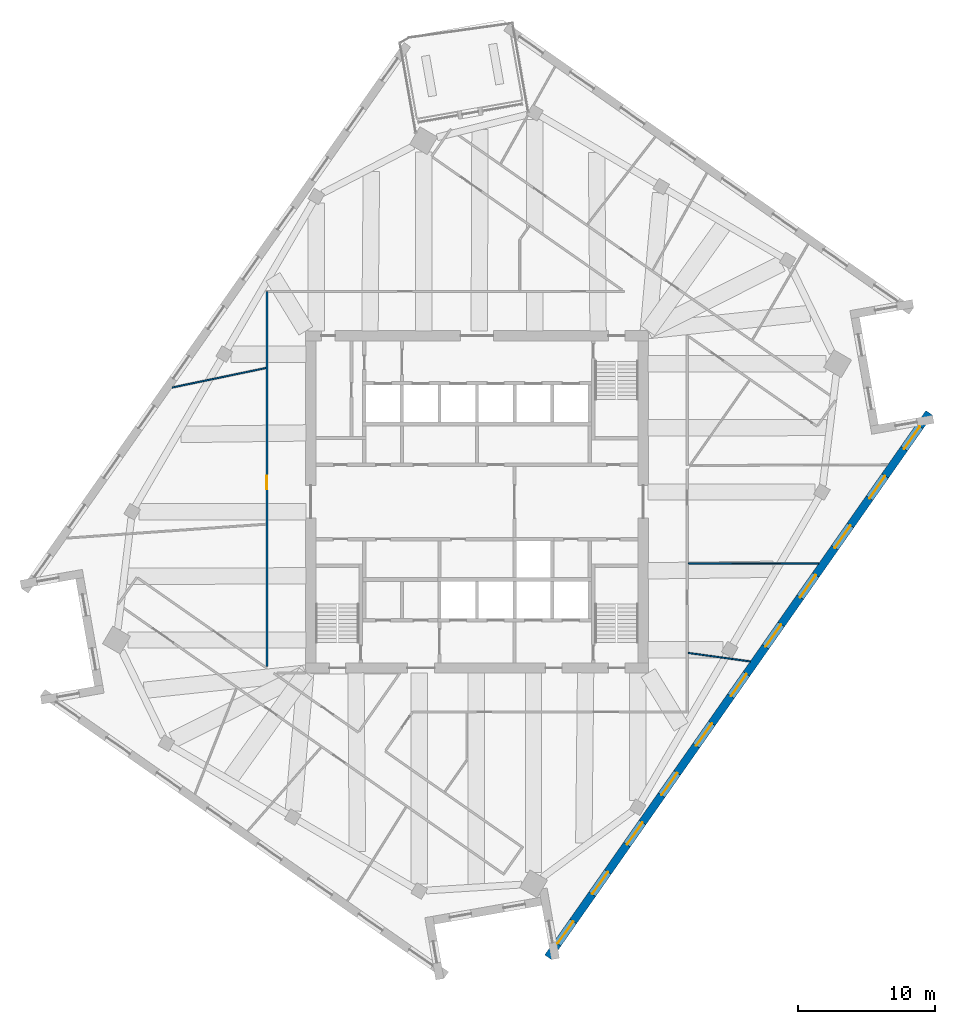
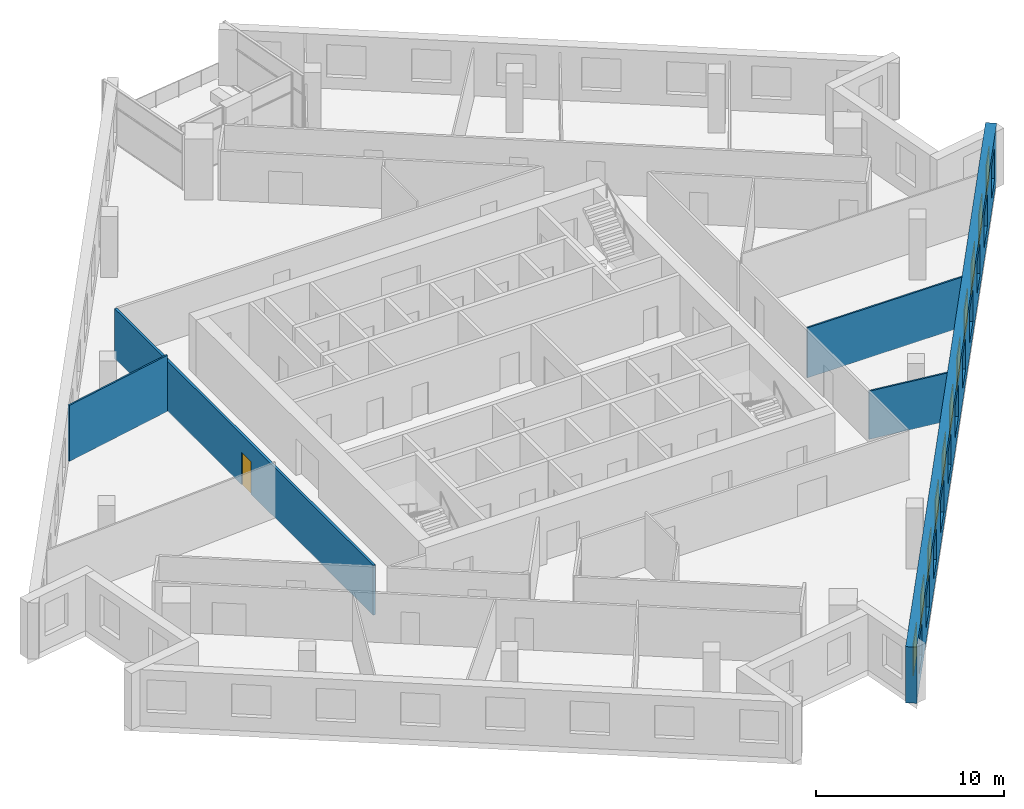
# One storey, part 8 of 13: 11 windows, 5 walls, 1 door, 12 openings.
"""IFC4 building model written with IfcOpenShell, lengths in metres."""

from ifc_helpers import new_model, si_unit, direction, frame, frame_2d, origin, place, context, subcontext, project, spatial, rectangle, extrude, material, layer, layer_set, type_object, element, fill, save


model = new_model("IFC4")

# Units and contexts
model_context = context("Model", 3, precision=1e-05, world=origin(), true_north=direction((0.0, 1.0)))
body_context = subcontext(model_context, "Body", "Model", "MODEL_VIEW")
ifc_project = project(units=[si_unit("LENGTHUNIT", "METRE"), si_unit("AREAUNIT", "SQUARE_METRE"), si_unit("VOLUMEUNIT", "CUBIC_METRE"), si_unit("PLANEANGLEUNIT", "RADIAN"), si_unit("MASSUNIT", "GRAM", prefix="KILO")], contexts=[model_context])

# Site, building, storey
site_placement = place(None, origin())
site = spatial("IfcSite", under=ifc_project, at=site_placement, CompositionType="ELEMENT")
building_placement = place(site_placement, origin())
building = spatial("IfcBuilding", under=site, at=building_placement, Name="Dilmun Exchange Tower", CompositionType="ELEMENT")
storey_placement = place(building_placement, frame((0.0, 0.0, 246.89990234375)))
storey = spatial("IfcBuildingStorey", under=building, at=storey_placement, Name="L58", CompositionType="ELEMENT", Elevation=246.89990234375)

# Wall, opening, door
ifc_material_1 = material(Name="Corridor wall 150")
ifc_layer_1 = layer(ifc_material_1, 0.14990234375)
ifc_layer_set_1 = layer_set([ifc_layer_1], Name="Corridor wall 150")
wall_type_1 = type_object("IfcWallType", Name="Corridor wall 150", PredefinedType="PARTITIONING", material=ifc_layer_set_1)
wall_1_placement = place(storey_placement, frame((-15.39990234375, -12.0458984375, 0.0), z_axis=(0.0, 0.0, 1.0), x_axis=(0.0, 1.0, 0.0)))
wall_1 = element("IfcWall", 1, at=wall_1_placement, inside=storey, type_object=wall_type_1, Name="Corridor wall", PredefinedType="PARTITIONING", context=body_context, shape_type="SweptSolid", body=[
    extrude(rectangle(XDim=27.44580078125, YDim=0.14990234375, at=frame_2d((13.722900390625, 0.0))), origin(), (0.0, 0.0, 1.0), 3.239990234375),
])
opening_1_placement = place(wall_1_placement, frame((12.9609375, 0.0, 0.0)))
opening_1 = element("IfcOpeningElement", 2, at=opening_1_placement, cuts=wall_1, Name="Opening TF57-D03", PredefinedType="OPENING", context=body_context, shape_type="SweptSolid", body=[
    extrude(rectangle(XDim=1.0, YDim=2.10009765625, at=frame_2d((0.5, 1.050048828125))), frame((0.0, 0.0849609375, 0.0), z_axis=(0.0, -1.0, 0.0), x_axis=(1.0, 0.0, 0.0)), (0.0, 0.0, 1.0), 0.169921875),
])
ifc_material_2 = material(Name="Fire door 1000 x 2100")
door_type = type_object("IfcDoorType", Name="Fire door 1000 x 2100", OperationType="NOTDEFINED", PredefinedType="DOOR", material=ifc_material_2)
door_placement = place(opening_1_placement, origin())
door = element("IfcDoor", 3, at=door_placement, inside=storey, type_object=door_type, Name="Door TF57-D03", OperationType="SINGLE_SWING_LEFT", OverallHeight=2.10009765625, OverallWidth=1.0, PredefinedType="DOOR", context=body_context, shape_type="SweptSolid", body=[
    extrude(rectangle(XDim=1.0, YDim=2.10009765625, at=frame_2d((0.5, 1.050048828125))), frame((0.0, 0.02490234375, 0.0), z_axis=(0.0, -1.0, 0.0), x_axis=(1.0, 0.0, 0.0)), (0.0, 0.0, 1.0), 0.050048828125),
])
fill(opening_1, door)

# Walls
ifc_material_3 = material(Name="Partition 100")
ifc_layer_2 = layer(ifc_material_3, 0.10009765625)
ifc_layer_set_2 = layer_set([ifc_layer_2], Name="Partition 100")
wall_type_2 = type_object("IfcWallType", Name="Partition 100", PredefinedType="PARTITIONING", material=ifc_layer_set_2)
wall_2_placement = place(storey_placement, frame((-22.331298828125, 8.3779296875, 0.0), z_axis=(0.0, 0.0, 1.0), x_axis=(0.97903673151, 0.203683770474, 0.0)))
element("IfcWall", 4, at=wall_2_placement, inside=storey, type_object=wall_type_2, Name="Partition", PredefinedType="PARTITIONING", context=body_context, shape_type="SweptSolid", body=[
    extrude(rectangle(XDim=6.99267578125, YDim=0.10009765625, at=frame_2d((3.496337890625, 0.0))), origin(), (0.0, 0.0, 1.0), 3.64013671875),
])
wall_3_placement = place(storey_placement, frame((15.481689453125, -11.068115234375, 0.0), z_axis=(0.0, 0.0, 1.0), x_axis=(0.990680100766, -0.136209169832, 0.0)))
element("IfcWall", 5, at=wall_3_placement, inside=storey, type_object=wall_type_2, Name="Partition", PredefinedType="PARTITIONING", context=body_context, shape_type="SweptSolid", body=[
    extrude(rectangle(XDim=4.572509765625, YDim=0.10009765625, at=frame_2d((2.2861328125, 0.0))), origin(), (0.0, 0.0, 1.0), 3.1201171875),
])
wall_4_placement = place(storey_placement, frame((15.47509765625, -4.502197265625, 0.0), z_axis=(0.0, 0.0, 1.0), x_axis=(0.999996329774, -0.00270932448, 0.0)))
element("IfcWall", 6, at=wall_4_placement, inside=storey, type_object=wall_type_2, Name="Partition", PredefinedType="PARTITIONING", context=body_context, shape_type="SweptSolid", body=[
    extrude(rectangle(XDim=9.5517578125, YDim=0.10009765625, at=frame_2d((4.77587890625, 0.0))), origin(), (0.0, 0.0, 1.0), 3.239990234375),
])

# Wall, openings, windows
ifc_material_4 = material(Name="Precast concrete C50/60", Category="concrete")
ifc_layer_3 = layer(ifc_material_4, 0.60009765625)
ifc_layer_set_3 = layer_set([ifc_layer_3], Name="Precast concrete C50/60")
wall_type_3 = type_object("IfcWallType", Name="Precast stone-clad wall 600", PredefinedType="STANDARD", material=ifc_layer_set_3)
wall_5_placement = place(storey_placement, frame((5.20556640625, -33.3623046875, 0.0), z_axis=(0.0, 0.0, 1.0), x_axis=(0.573577438409, 0.81915134264, 0.0)))
wall_5 = element("IfcWall", 7, at=wall_5_placement, inside=storey, type_object=wall_type_3, Name="Facade wall L58-11", PredefinedType="STANDARD", context=body_context, shape_type="SweptSolid", body=[
    extrude(rectangle(XDim=48.686279296875, YDim=0.60009765625, at=frame_2d((24.34326171875, 0.0))), origin(), (0.0, 0.0, 1.0), 3.64013671875),
])
opening_2_placement = place(wall_5_placement, frame((1.212890625, 0.0, 0.89990234375)))
opening_2 = element("IfcOpeningElement", 8, at=opening_2_placement, cuts=wall_5, Name="Opening W200-210", PredefinedType="OPENING", context=body_context, shape_type="SweptSolid", body=[
    extrude(rectangle(XDim=2.0, YDim=2.10009765625, at=frame_2d((1.0, 1.050048828125))), frame((0.0, 0.31005859375, 0.0), z_axis=(0.0, -1.0, 0.0), x_axis=(1.0, 0.0, 0.0)), (0.0, 0.0, 1.0), 0.6201171875),
])
opening_3_placement = place(wall_5_placement, frame((5.638916015625, 0.0, 0.89990234375)))
opening_3 = element("IfcOpeningElement", 9, at=opening_3_placement, cuts=wall_5, Name="Opening W200-210", PredefinedType="OPENING", context=body_context, shape_type="SweptSolid", body=[
    extrude(rectangle(XDim=2.0, YDim=2.10009765625, at=frame_2d((1.0, 1.050048828125))), frame((0.0, 0.31005859375, 0.0), z_axis=(0.0, -1.0, 0.0), x_axis=(1.0, 0.0, 0.0)), (0.0, 0.0, 1.0), 0.6201171875),
])
opening_4_placement = place(wall_5_placement, frame((10.065185546875, 0.0, 0.89990234375)))
opening_4 = element("IfcOpeningElement", 10, at=opening_4_placement, cuts=wall_5, Name="Opening W200-210", PredefinedType="OPENING", context=body_context, shape_type="SweptSolid", body=[
    extrude(rectangle(XDim=2.0, YDim=2.10009765625, at=frame_2d((1.0, 1.050048828125))), frame((0.0, 0.31005859375, 0.0), z_axis=(0.0, -1.0, 0.0), x_axis=(1.0, 0.0, 0.0)), (0.0, 0.0, 1.0), 0.6201171875),
])
opening_5_placement = place(wall_5_placement, frame((14.4912109375, 0.0, 0.89990234375)))
opening_5 = element("IfcOpeningElement", 11, at=opening_5_placement, cuts=wall_5, Name="Opening W200-210", PredefinedType="OPENING", context=body_context, shape_type="SweptSolid", body=[
    extrude(rectangle(XDim=2.0, YDim=2.10009765625, at=frame_2d((1.0, 1.050048828125))), frame((0.0, 0.31005859375, 0.0), z_axis=(0.0, -1.0, 0.0), x_axis=(1.0, 0.0, 0.0)), (0.0, 0.0, 1.0), 0.6201171875),
])
opening_6_placement = place(wall_5_placement, frame((18.9169921875, 0.0, 0.89990234375)))
opening_6 = element("IfcOpeningElement", 12, at=opening_6_placement, cuts=wall_5, Name="Opening W200-210", PredefinedType="OPENING", context=body_context, shape_type="SweptSolid", body=[
    extrude(rectangle(XDim=2.0, YDim=2.10009765625, at=frame_2d((1.0, 1.050048828125))), frame((0.0, 0.31005859375, 0.0), z_axis=(0.0, -1.0, 0.0), x_axis=(1.0, 0.0, 0.0)), (0.0, 0.0, 1.0), 0.6201171875),
])
opening_7_placement = place(wall_5_placement, frame((23.343017578125, 0.0, 0.89990234375)))
opening_7 = element("IfcOpeningElement", 13, at=opening_7_placement, cuts=wall_5, Name="Opening W200-210", PredefinedType="OPENING", context=body_context, shape_type="SweptSolid", body=[
    extrude(rectangle(XDim=2.0, YDim=2.10009765625, at=frame_2d((1.0, 1.050048828125))), frame((0.0, 0.31005859375, 0.0), z_axis=(0.0, -1.0, 0.0), x_axis=(1.0, 0.0, 0.0)), (0.0, 0.0, 1.0), 0.6201171875),
])
opening_8_placement = place(wall_5_placement, frame((27.769287109375, 0.0, 0.89990234375)))
opening_8 = element("IfcOpeningElement", 14, at=opening_8_placement, cuts=wall_5, Name="Opening W200-210", PredefinedType="OPENING", context=body_context, shape_type="SweptSolid", body=[
    extrude(rectangle(XDim=2.0, YDim=2.10009765625, at=frame_2d((1.0, 1.050048828125))), frame((0.0, 0.31005859375, 0.0), z_axis=(0.0, -1.0, 0.0), x_axis=(1.0, 0.0, 0.0)), (0.0, 0.0, 1.0), 0.6201171875),
])
opening_9_placement = place(wall_5_placement, frame((32.1953125, 0.0, 0.89990234375)))
opening_9 = element("IfcOpeningElement", 15, at=opening_9_placement, cuts=wall_5, Name="Opening W200-210", PredefinedType="OPENING", context=body_context, shape_type="SweptSolid", body=[
    extrude(rectangle(XDim=2.0, YDim=2.10009765625, at=frame_2d((1.0, 1.050048828125))), frame((0.0, 0.31005859375, 0.0), z_axis=(0.0, -1.0, 0.0), x_axis=(1.0, 0.0, 0.0)), (0.0, 0.0, 1.0), 0.6201171875),
])
opening_10_placement = place(wall_5_placement, frame((36.62109375, 0.0, 0.89990234375)))
opening_10 = element("IfcOpeningElement", 16, at=opening_10_placement, cuts=wall_5, Name="Opening W200-210", PredefinedType="OPENING", context=body_context, shape_type="SweptSolid", body=[
    extrude(rectangle(XDim=2.0, YDim=2.10009765625, at=frame_2d((1.0, 1.050048828125))), frame((0.0, 0.31005859375, 0.0), z_axis=(0.0, -1.0, 0.0), x_axis=(1.0, 0.0, 0.0)), (0.0, 0.0, 1.0), 0.6201171875),
])
opening_11_placement = place(wall_5_placement, frame((41.04736328125, 0.0, 0.89990234375)))
opening_11 = element("IfcOpeningElement", 17, at=opening_11_placement, cuts=wall_5, Name="Opening W200-210", PredefinedType="OPENING", context=body_context, shape_type="SweptSolid", body=[
    extrude(rectangle(XDim=2.0, YDim=2.10009765625, at=frame_2d((1.0, 1.050048828125))), frame((0.0, 0.31005859375, 0.0), z_axis=(0.0, -1.0, 0.0), x_axis=(1.0, 0.0, 0.0)), (0.0, 0.0, 1.0), 0.6201171875),
])
opening_12_placement = place(wall_5_placement, frame((45.473388671875, 0.0, 0.89990234375)))
opening_12 = element("IfcOpeningElement", 18, at=opening_12_placement, cuts=wall_5, Name="Opening W200-210", PredefinedType="OPENING", context=body_context, shape_type="SweptSolid", body=[
    extrude(rectangle(XDim=2.0, YDim=2.10009765625, at=frame_2d((1.0, 1.050048828125))), frame((0.0, 0.31005859375, 0.0), z_axis=(0.0, -1.0, 0.0), x_axis=(1.0, 0.0, 0.0)), (0.0, 0.0, 1.0), 0.6201171875),
])
ifc_material_5 = material(Name="Clear low-emissivity glass in aluminium frame", Category="aluminium")
window_type = type_object("IfcWindowType", Name="Punched window 2000 x 2100", PartitioningType="DOUBLE_PANEL_VERTICAL", PredefinedType="WINDOW", material=ifc_material_5)
window_1_placement = place(opening_2_placement, origin())
window_1 = element("IfcWindow", 19, at=window_1_placement, inside=storey, type_object=window_type, Name="Window 12.1", OverallHeight=2.10009765625, OverallWidth=2.0, PartitioningType="SINGLE_PANEL", PredefinedType="WINDOW", context=body_context, shape_type="SweptSolid", body=[
    extrude(rectangle(XDim=2.0, YDim=2.10009765625, at=frame_2d((1.0, 1.050048828125))), frame((0.0, 0.030029296875, 0.0), z_axis=(0.0, -1.0, 0.0), x_axis=(1.0, 0.0, 0.0)), (0.0, 0.0, 1.0), 0.06005859375),
])
fill(opening_2, window_1)
window_2_placement = place(opening_3_placement, origin())
window_2 = element("IfcWindow", 20, at=window_2_placement, inside=storey, type_object=window_type, Name="Window 12.2", OverallHeight=2.10009765625, OverallWidth=2.0, PartitioningType="SINGLE_PANEL", PredefinedType="WINDOW", context=body_context, shape_type="SweptSolid", body=[
    extrude(rectangle(XDim=2.0, YDim=2.10009765625, at=frame_2d((1.0, 1.050048828125))), frame((0.0, 0.030029296875, 0.0), z_axis=(0.0, -1.0, 0.0), x_axis=(1.0, 0.0, 0.0)), (0.0, 0.0, 1.0), 0.06005859375),
])
fill(opening_3, window_2)
window_3_placement = place(opening_4_placement, origin())
window_3 = element("IfcWindow", 21, at=window_3_placement, inside=storey, type_object=window_type, Name="Window 12.3", OverallHeight=2.10009765625, OverallWidth=2.0, PartitioningType="SINGLE_PANEL", PredefinedType="WINDOW", context=body_context, shape_type="SweptSolid", body=[
    extrude(rectangle(XDim=2.0, YDim=2.10009765625, at=frame_2d((1.0, 1.050048828125))), frame((0.0, 0.030029296875, 0.0), z_axis=(0.0, -1.0, 0.0), x_axis=(1.0, 0.0, 0.0)), (0.0, 0.0, 1.0), 0.06005859375),
])
fill(opening_4, window_3)
window_4_placement = place(opening_5_placement, origin())
window_4 = element("IfcWindow", 22, at=window_4_placement, inside=storey, type_object=window_type, Name="Window 12.4", OverallHeight=2.10009765625, OverallWidth=2.0, PartitioningType="SINGLE_PANEL", PredefinedType="WINDOW", context=body_context, shape_type="SweptSolid", body=[
    extrude(rectangle(XDim=2.0, YDim=2.10009765625, at=frame_2d((1.0, 1.050048828125))), frame((0.0, 0.030029296875, 0.0), z_axis=(0.0, -1.0, 0.0), x_axis=(1.0, 0.0, 0.0)), (0.0, 0.0, 1.0), 0.06005859375),
])
fill(opening_5, window_4)
window_5_placement = place(opening_6_placement, origin())
window_5 = element("IfcWindow", 23, at=window_5_placement, inside=storey, type_object=window_type, Name="Window 12.5", OverallHeight=2.10009765625, OverallWidth=2.0, PartitioningType="SINGLE_PANEL", PredefinedType="WINDOW", context=body_context, shape_type="SweptSolid", body=[
    extrude(rectangle(XDim=2.0, YDim=2.10009765625, at=frame_2d((1.0, 1.050048828125))), frame((0.0, 0.030029296875, 0.0), z_axis=(0.0, -1.0, 0.0), x_axis=(1.0, 0.0, 0.0)), (0.0, 0.0, 1.0), 0.06005859375),
])
fill(opening_6, window_5)
window_6_placement = place(opening_7_placement, origin())
window_6 = element("IfcWindow", 24, at=window_6_placement, inside=storey, type_object=window_type, Name="Window 12.6", OverallHeight=2.10009765625, OverallWidth=2.0, PartitioningType="SINGLE_PANEL", PredefinedType="WINDOW", context=body_context, shape_type="SweptSolid", body=[
    extrude(rectangle(XDim=2.0, YDim=2.10009765625, at=frame_2d((1.0, 1.050048828125))), frame((0.0, 0.030029296875, 0.0), z_axis=(0.0, -1.0, 0.0), x_axis=(1.0, 0.0, 0.0)), (0.0, 0.0, 1.0), 0.06005859375),
])
fill(opening_7, window_6)
window_7_placement = place(opening_8_placement, origin())
window_7 = element("IfcWindow", 25, at=window_7_placement, inside=storey, type_object=window_type, Name="Window 12.7", OverallHeight=2.10009765625, OverallWidth=2.0, PartitioningType="SINGLE_PANEL", PredefinedType="WINDOW", context=body_context, shape_type="SweptSolid", body=[
    extrude(rectangle(XDim=2.0, YDim=2.10009765625, at=frame_2d((1.0, 1.050048828125))), frame((0.0, 0.030029296875, 0.0), z_axis=(0.0, -1.0, 0.0), x_axis=(1.0, 0.0, 0.0)), (0.0, 0.0, 1.0), 0.06005859375),
])
fill(opening_8, window_7)
window_8_placement = place(opening_9_placement, origin())
window_8 = element("IfcWindow", 26, at=window_8_placement, inside=storey, type_object=window_type, Name="Window 12.8", OverallHeight=2.10009765625, OverallWidth=2.0, PartitioningType="SINGLE_PANEL", PredefinedType="WINDOW", context=body_context, shape_type="SweptSolid", body=[
    extrude(rectangle(XDim=2.0, YDim=2.10009765625, at=frame_2d((1.0, 1.050048828125))), frame((0.0, 0.030029296875, 0.0), z_axis=(0.0, -1.0, 0.0), x_axis=(1.0, 0.0, 0.0)), (0.0, 0.0, 1.0), 0.06005859375),
])
fill(opening_9, window_8)
window_9_placement = place(opening_10_placement, origin())
window_9 = element("IfcWindow", 27, at=window_9_placement, inside=storey, type_object=window_type, Name="Window 12.9", OverallHeight=2.10009765625, OverallWidth=2.0, PartitioningType="SINGLE_PANEL", PredefinedType="WINDOW", context=body_context, shape_type="SweptSolid", body=[
    extrude(rectangle(XDim=2.0, YDim=2.10009765625, at=frame_2d((1.0, 1.050048828125))), frame((0.0, 0.030029296875, 0.0), z_axis=(0.0, -1.0, 0.0), x_axis=(1.0, 0.0, 0.0)), (0.0, 0.0, 1.0), 0.06005859375),
])
fill(opening_10, window_9)
window_10_placement = place(opening_11_placement, origin())
window_10 = element("IfcWindow", 28, at=window_10_placement, inside=storey, type_object=window_type, Name="Window 12.10", OverallHeight=2.10009765625, OverallWidth=2.0, PartitioningType="SINGLE_PANEL", PredefinedType="WINDOW", context=body_context, shape_type="SweptSolid", body=[
    extrude(rectangle(XDim=2.0, YDim=2.10009765625, at=frame_2d((1.0, 1.050048828125))), frame((0.0, 0.030029296875, 0.0), z_axis=(0.0, -1.0, 0.0), x_axis=(1.0, 0.0, 0.0)), (0.0, 0.0, 1.0), 0.06005859375),
])
fill(opening_11, window_10)
window_11_placement = place(opening_12_placement, origin())
window_11 = element("IfcWindow", 29, at=window_11_placement, inside=storey, type_object=window_type, Name="Window 12.11", OverallHeight=2.10009765625, OverallWidth=2.0, PartitioningType="SINGLE_PANEL", PredefinedType="WINDOW", context=body_context, shape_type="SweptSolid", body=[
    extrude(rectangle(XDim=2.0, YDim=2.10009765625, at=frame_2d((1.0, 1.050048828125))), frame((0.0, 0.030029296875, 0.0), z_axis=(0.0, -1.0, 0.0), x_axis=(1.0, 0.0, 0.0)), (0.0, 0.0, 1.0), 0.06005859375),
])
fill(opening_12, window_11)

save(model, "model.ifc")
